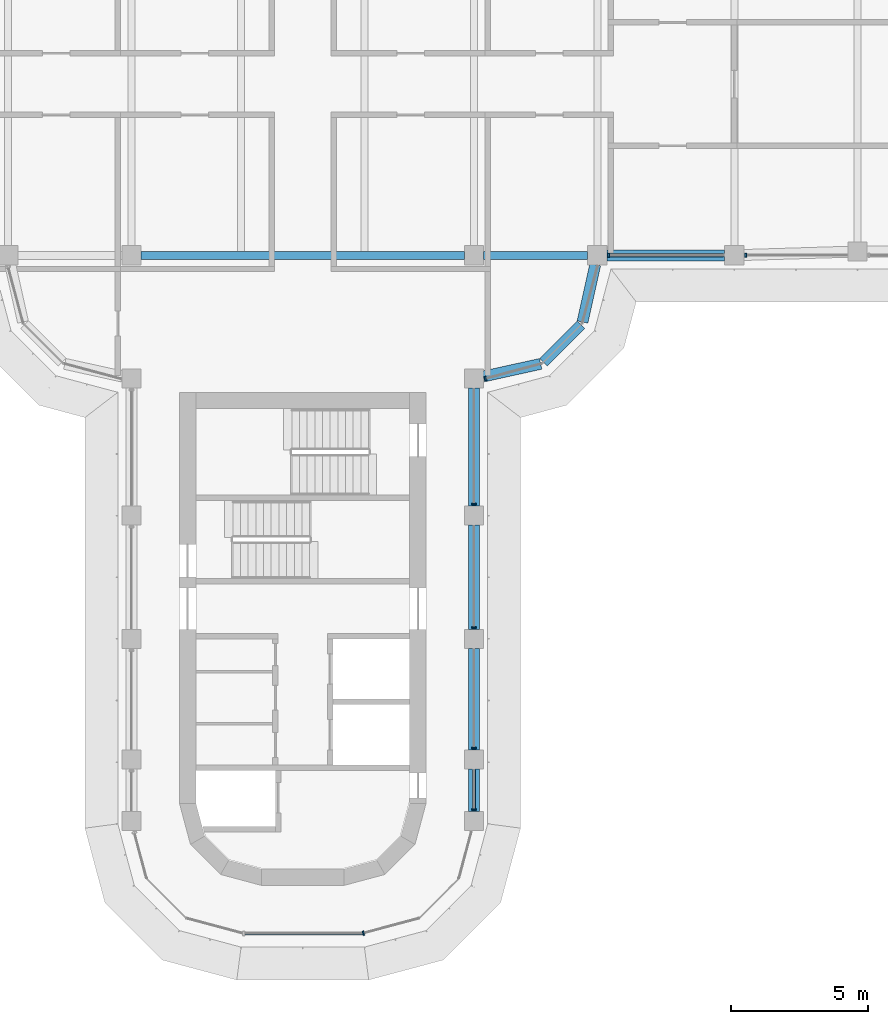
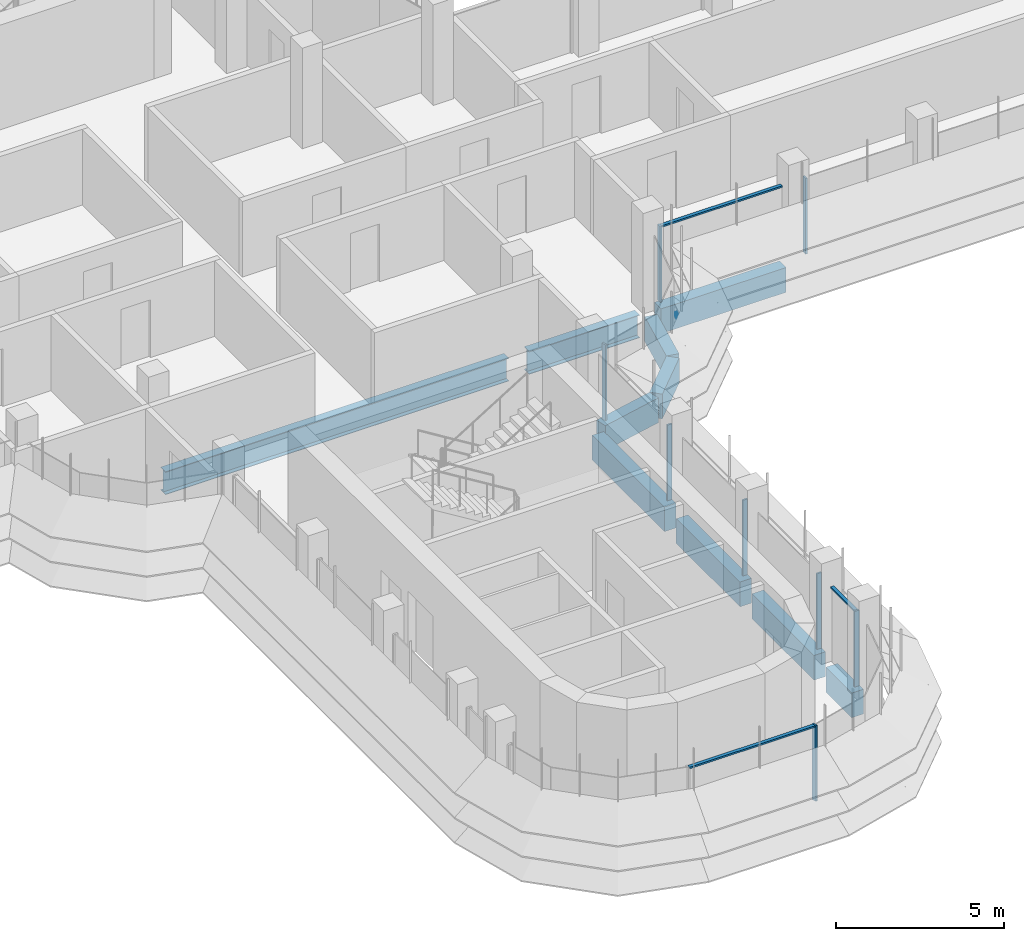
# One storey, part 4 of 19: 11 members, 10 beams, 5 elements without a shape of their own.
"""IFC4 building model written with IfcOpenShell, lengths in metres."""

from ifc_helpers import new_model, si_unit, direction, frame, origin, origin_2d, place, context, subcontext, project, spatial, polyline, rectangle, i_section, outline, extrude, source, transform, mapped, material, material_profile, profile_set, type_object, element, aggregate, save


model = new_model("IFC4")

# Units and contexts
model_context = context("Model", 3, precision=1e-05, world=origin(), true_north=direction((0.0, 1.0)))
body_context = subcontext(model_context, "Body", "Model", "MODEL_VIEW")
ifc_project = project(units=[si_unit("LENGTHUNIT", "METRE"), si_unit("AREAUNIT", "SQUARE_METRE"), si_unit("VOLUMEUNIT", "CUBIC_METRE"), si_unit("PLANEANGLEUNIT", "RADIAN"), si_unit("MASSUNIT", "GRAM", prefix="KILO")], contexts=[model_context])

# Site, building, storey
site_placement = place(None, origin())
site = spatial("IfcSite", under=ifc_project, at=site_placement, CompositionType="ELEMENT")
building_placement = place(site_placement, origin())
building = spatial("IfcBuilding", under=site, at=building_placement, Name="Zarbagh Exchange Tower", CompositionType="ELEMENT")
storey_placement = place(building_placement, frame((0.0, 0.0, 237.199951171875)))
storey = spatial("IfcBuildingStorey", under=building, at=storey_placement, Name="L58", CompositionType="ELEMENT", Elevation=237.199951171875)

# Beams
ifc_material_1 = material(Name="Steel ASTM A992 Gr 50", Category="steel")
ifc_material_profile_1 = material_profile(ifc_material_1, i_section(OverallWidth=0.2919921875, OverallDepth=0.835693359375, WebThickness=0.013916015625, FlangeThickness=0.018798828125, at=origin_2d()), Name="W33X118")
ifc_profile_set_1 = profile_set([ifc_material_profile_1], Name="Steel ASTM A992 Gr 50")
beam_type_1 = type_object("IfcBeamType", Name="Floor girder W33X118", PredefinedType="BEAM", material=ifc_profile_set_1)
beam_1_placement = place(storey_placement, frame((-5.89990234375, -6.25, -0.56787109375), z_axis=(1.0, 0.0, 0.0), x_axis=(0.0, 1.0, 0.0)))
element("IfcBeam", 1, at=beam_1_placement, inside=storey, type_object=beam_type_1, Name="Steel girder", PredefinedType="BEAM", context=body_context, shape_type="SweptSolid", body=[
    extrude(i_section(OverallWidth=0.2919921875, OverallDepth=0.835693359375, WebThickness=0.013916015625, FlangeThickness=0.018798828125, at=origin_2d()), origin(), (0.0, 0.0, 1.0), 11.7998046875),
])
beam_2_placement = place(storey_placement, frame((6.60009765625, -6.25, -0.56787109375), z_axis=(1.0, 0.0, 0.0), x_axis=(0.0, 1.0, 0.0)))
element("IfcBeam", 2, at=beam_2_placement, inside=storey, type_object=beam_type_1, Name="Steel girder", PredefinedType="BEAM", context=body_context, shape_type="SweptSolid", body=[
    extrude(i_section(OverallWidth=0.2919921875, OverallDepth=0.835693359375, WebThickness=0.013916015625, FlangeThickness=0.018798828125, at=origin_2d()), origin(), (0.0, 0.0, 1.0), 3.7998046875),
])
ifc_material_2 = material(Name="Concrete C50/60", Category="concrete")
ifc_material_profile_2 = material_profile(ifc_material_2, rectangle(XDim=0.39990234375, YDim=0.89990234375, at=origin_2d()), Name="RC spandrel beam 400 x 900 C50/60")
ifc_profile_set_2 = profile_set([ifc_material_profile_2], Name="Concrete C50/60")
beam_type_2 = type_object("IfcBeamType", Name="RC spandrel beam 400 x 900 C50/60", PredefinedType="SPANDREL", material=ifc_profile_set_2)
beam_3_placement = place(storey_placement, frame((15.39990234375, -6.25, -0.599853515625), z_axis=(-1.0, 0.0, 0.0), x_axis=(0.0, -1.0, 0.0)))
element("IfcBeam", 3, at=beam_3_placement, inside=storey, type_object=beam_type_2, Name="RC spandrel beam", PredefinedType="SPANDREL", context=body_context, shape_type="SweptSolid", body=[
    extrude(rectangle(XDim=0.39990234375, YDim=0.89990234375, at=origin_2d()), origin(), (0.0, 0.0, 1.0), 4.2998046875),
])
beam_4_placement = place(storey_placement, frame((10.67431640625, -6.591796875, -0.599853515625), z_axis=(-0.216013551096, -0.97639036545, 0.0), x_axis=(0.97639036545, -0.216013551096, 0.0)))
element("IfcBeam", 4, at=beam_4_placement, inside=storey, type_object=beam_type_2, Name="RC spandrel beam", PredefinedType="SPANDREL", context=body_context, shape_type="SweptSolid", body=[
    extrude(rectangle(XDim=0.39990234375, YDim=0.89990234375, at=origin_2d()), origin(), (0.0, 0.0, 1.0), 2.142822265625),
])
beam_5_placement = place(storey_placement, frame((10.15771484375, -8.782470703125, -0.599853515625), z_axis=(-0.707106781187, -0.707106781187, 0.0), x_axis=(0.707106781187, -0.707106781187, 0.0)))
element("IfcBeam", 5, at=beam_5_placement, inside=storey, type_object=beam_type_2, Name="RC spandrel beam", PredefinedType="SPANDREL", context=body_context, shape_type="SweptSolid", body=[
    extrude(rectangle(XDim=0.39990234375, YDim=0.89990234375, at=origin_2d()), origin(), (0.0, 0.0, 1.0), 1.94482421875),
])
beam_6_placement = place(storey_placement, frame((8.68408203125, -10.21142578125, -0.599853515625), z_axis=(-0.97639036545, -0.216013551096, 0.0), x_axis=(0.216013551096, -0.97639036545, 0.0)))
element("IfcBeam", 6, at=beam_6_placement, inside=storey, type_object=beam_type_2, Name="RC spandrel beam", PredefinedType="SPANDREL", context=body_context, shape_type="SweptSolid", body=[
    extrude(rectangle(XDim=0.39990234375, YDim=0.89990234375, at=origin_2d()), origin(), (0.0, 0.0, 1.0), 2.142822265625),
])
beam_7_placement = place(storey_placement, frame((6.25, -11.10009765625, -0.599853515625), z_axis=(0.0, -1.0, 0.0), x_axis=(1.0, 0.0, 0.0)))
element("IfcBeam", 7, at=beam_7_placement, inside=storey, type_object=beam_type_2, Name="RC spandrel beam", PredefinedType="SPANDREL", context=body_context, shape_type="SweptSolid", body=[
    extrude(rectangle(XDim=0.39990234375, YDim=0.89990234375, at=origin_2d()), origin(), (0.0, 0.0, 1.0), 4.2998046875),
])
beam_8_placement = place(storey_placement, frame((6.25, -16.10009765625, -0.599853515625), z_axis=(0.0, -1.0, 0.0), x_axis=(1.0, 0.0, 0.0)))
element("IfcBeam", 8, at=beam_8_placement, inside=storey, type_object=beam_type_2, Name="RC spandrel beam", PredefinedType="SPANDREL", context=body_context, shape_type="SweptSolid", body=[
    extrude(rectangle(XDim=0.39990234375, YDim=0.89990234375, at=origin_2d()), origin(), (0.0, 0.0, 1.0), 3.7998046875),
])
beam_9_placement = place(storey_placement, frame((6.25, -20.60009765625, -0.599853515625), z_axis=(0.0, -1.0, 0.0), x_axis=(1.0, 0.0, 0.0)))
element("IfcBeam", 9, at=beam_9_placement, inside=storey, type_object=beam_type_2, Name="RC spandrel beam", PredefinedType="SPANDREL", context=body_context, shape_type="SweptSolid", body=[
    extrude(rectangle(XDim=0.39990234375, YDim=0.89990234375, at=origin_2d()), origin(), (0.0, 0.0, 1.0), 3.699951171875),
])
beam_10_placement = place(storey_placement, frame((6.25, -25.0, -0.599853515625), z_axis=(0.0, -1.0, 0.0), x_axis=(1.0, 0.0, 0.0)))
element("IfcBeam", 10, at=beam_10_placement, inside=storey, type_object=beam_type_2, Name="RC spandrel beam", PredefinedType="SPANDREL", context=body_context, shape_type="SweptSolid", body=[
    extrude(rectangle(XDim=0.39990234375, YDim=0.89990234375, at=origin_2d()), origin(), (0.0, 0.0, 1.0), 1.550048828125),
])

# Curtain wall, member
ifc_material_3 = material(Name="Anodised aluminium frame and glazing", Category="aluminium")
curtain_wall_type = type_object("IfcCurtainWallType", Name="CWB Ribbon glazing, upper zones", PredefinedType="NOTDEFINED", material=ifc_material_3)
curtain_wall_1_placement = place(storey_placement, origin())
curtain_wall_1 = element("IfcCurtainWall", 11, at=curtain_wall_1_placement, inside=storey, type_object=curtain_wall_type, Name="CWB49 curtain wall", PredefinedType="NOTDEFINED")
ifc_material_4 = material(Name="Anodised aluminium frame", Category="aluminium")
member_type_1 = type_object("IfcMemberType", Name="MUB Mullion, anodised aluminium frame", PredefinedType="MULLION", material=ifc_material_4)
shared_shape_1 = source(origin(), body_context, "Body", "SweptSolid", [
    extrude(outline(polyline([(0.0, -0.080078125), (0.06005859375, -0.080078125), (0.06005859375, 0.080078125), (0.0, 0.080078125), (0.0, -0.080078125)])), origin(), (0.0, 0.0, 1.0), 2.75),
])
placement = place(storey_placement, origin())
member_1 = element("IfcMember", 12, at=placement, type_object=member_type_1, Name="CWB49 mullion 1.1", PredefinedType="MULLION", context=body_context, shape_type="MappedRepresentation", body=[
    mapped(shared_shape_1, transform((2.18408203125, -31.0, 0.0), x_axis=(0.965924289636, 0.258824779902, 0.0), y_axis=(-0.258824779902, 0.965924289636, 0.0), z_axis=(0.0, 0.0, 1.0))),
])
aggregate(curtain_wall_1, [member_1])

# Curtain wall, members
curtain_wall_2_placement = place(storey_placement, origin())
curtain_wall_2 = element("IfcCurtainWall", 13, at=curtain_wall_2_placement, inside=storey, type_object=curtain_wall_type, Name="CWB52 curtain wall", PredefinedType="NOTDEFINED")
member_2 = element("IfcMember", 14, at=placement, type_object=member_type_1, Name="CWB52 mullion 1.1", PredefinedType="MULLION", context=body_context, shape_type="MappedRepresentation", body=[
    mapped(shared_shape_1, transform((6.25, -26.510009765625, 0.0), x_axis=(0.0, 1.0, 0.0), y_axis=(-1.0, 0.0, 0.0), z_axis=(0.0, 0.0, 1.0))),
])
member_3 = element("IfcMember", 15, at=placement, type_object=member_type_1, Name="CWB52 mullion 2.1", PredefinedType="MULLION", context=body_context, shape_type="MappedRepresentation", body=[
    mapped(shared_shape_1, transform((6.25, -24.260009765625, 0.0), x_axis=(0.0, 1.0, 0.0), y_axis=(-1.0, 0.0, 0.0), z_axis=(0.0, 0.0, 1.0))),
])
member_4 = element("IfcMember", 16, at=placement, type_object=member_type_1, Name="CWB52 mullion 3.1", PredefinedType="MULLION", context=body_context, shape_type="MappedRepresentation", body=[
    mapped(shared_shape_1, transform((6.25, -19.85986328125, 0.0), x_axis=(0.0, 1.0, 0.0), y_axis=(-1.0, 0.0, 0.0), z_axis=(0.0, 0.0, 1.0))),
])
member_5 = element("IfcMember", 17, at=placement, type_object=member_type_1, Name="CWB52 mullion 4.1", PredefinedType="MULLION", context=body_context, shape_type="MappedRepresentation", body=[
    mapped(shared_shape_1, transform((6.25, -15.35986328125, 0.0), x_axis=(0.0, 1.0, 0.0), y_axis=(-1.0, 0.0, 0.0), z_axis=(0.0, 0.0, 1.0))),
])

# Curtain wall, member
curtain_wall_3_placement = place(storey_placement, origin())
curtain_wall_3 = element("IfcCurtainWall", 18, at=curtain_wall_3_placement, inside=storey, type_object=curtain_wall_type, Name="CWB05 curtain wall", PredefinedType="NOTDEFINED")
member_6 = element("IfcMember", 19, at=placement, type_object=member_type_1, Name="CWB05 mullion 1.1", PredefinedType="MULLION", context=body_context, shape_type="MappedRepresentation", body=[
    mapped(shared_shape_1, transform((6.64013671875, -10.76171875, 0.0), x_axis=(0.965924289636, 0.258824779902, 0.0), y_axis=(-0.258824779902, 0.965924289636, 0.0), z_axis=(0.0, 0.0, 1.0))),
])
aggregate(curtain_wall_3, [member_6])

# Curtain wall, members
curtain_wall_4_placement = place(storey_placement, origin())
curtain_wall_4 = element("IfcCurtainWall", 20, at=curtain_wall_4_placement, inside=storey, type_object=curtain_wall_type, Name="CWB08 curtain wall", PredefinedType="NOTDEFINED")
member_7 = element("IfcMember", 21, at=placement, type_object=member_type_1, Name="CWB08 mullion 1.1", PredefinedType="MULLION", context=body_context, shape_type="MappedRepresentation", body=[
    mapped(shared_shape_1, transform((11.14013671875, -6.25, 0.0), x_axis=(1.0, 0.0, 0.0), y_axis=(0.0, 1.0, 0.0), z_axis=(0.0, 0.0, 1.0))),
])
member_8 = element("IfcMember", 22, at=placement, type_object=member_type_1, Name="CWB08 mullion 2.1", PredefinedType="MULLION", context=body_context, shape_type="MappedRepresentation", body=[
    mapped(shared_shape_1, transform((16.14013671875, -6.25, 0.0), x_axis=(1.0, 0.0, 0.0), y_axis=(0.0, 1.0, 0.0), z_axis=(0.0, 0.0, 1.0))),
])

# Curtain wall, member
curtain_wall_5_placement = place(storey_placement, origin())
curtain_wall_5 = element("IfcCurtainWall", 23, at=curtain_wall_5_placement, inside=storey, type_object=curtain_wall_type, Name="CWB57 curtain wall", PredefinedType="NOTDEFINED")
member_type_2 = type_object("IfcMemberType", Name="TRB Transom, anodised aluminium frame", PredefinedType="USERDEFINED", material=ifc_material_4)
shared_shape_2 = source(origin(), body_context, "Body", "SweptSolid", [
    extrude(outline(polyline([(-0.06005859375, -0.06005859375), (0.0, -0.06005859375), (0.0, 0.06005859375), (-0.06005859375, 0.06005859375), (-0.06005859375, -0.06005859375)])), origin(), (0.0, 0.0, 1.0), 4.308349609375),
])
member_9 = element("IfcMember", 24, at=placement, type_object=member_type_2, Name="CWB57 transom 1.1", ObjectType="TRANSOM", PredefinedType="USERDEFINED", context=body_context, shape_type="MappedRepresentation", body=[
    mapped(shared_shape_2, transform((-2.124267578125, -31.0, 2.75), x_axis=(0.0, 0.0, 1.0), y_axis=(0.0, -1.0, 0.0), z_axis=(1.0, 0.0, 0.0))),
])
aggregate(curtain_wall_5, [member_9])

# Member
shared_shape_3 = source(origin(), body_context, "Body", "SweptSolid", [
    extrude(outline(polyline([(-0.06005859375, -0.06005859375), (0.0, -0.06005859375), (0.0, 0.06005859375), (-0.06005859375, 0.06005859375), (-0.06005859375, -0.06005859375)])), origin(), (0.0, 0.0, 1.0), 1.409912109375),
])
member_10 = element("IfcMember", 25, at=placement, type_object=member_type_2, Name="CWB52 transom 1.1", ObjectType="TRANSOM", PredefinedType="USERDEFINED", context=body_context, shape_type="MappedRepresentation", body=[
    mapped(shared_shape_3, transform((6.25, -26.449951171875, 2.75), x_axis=(0.0, 0.0, 1.0), y_axis=(1.0, 0.0, 0.0), z_axis=(0.0, 1.0, 0.0))),
])

aggregate(curtain_wall_2, [member_2, member_10, member_3, member_4, member_5])

shared_shape_4 = source(origin(), body_context, "Body", "SweptSolid", [
    extrude(outline(polyline([(-0.06005859375, -0.06005859375), (0.0, -0.06005859375), (0.0, 0.06005859375), (-0.06005859375, 0.06005859375), (-0.06005859375, -0.06005859375)])), origin(), (0.0, 0.0, 1.0), 4.159912109375),
])
member_11 = element("IfcMember", 26, at=placement, type_object=member_type_2, Name="CWB08 transom 1.1", ObjectType="TRANSOM", PredefinedType="USERDEFINED", context=body_context, shape_type="MappedRepresentation", body=[
    mapped(shared_shape_4, transform((11.199951171875, -6.25, 2.75), x_axis=(0.0, 0.0, 1.0), y_axis=(0.0, -1.0, 0.0), z_axis=(1.0, 0.0, 0.0))),
])

aggregate(curtain_wall_4, [member_7, member_11, member_8])

save(model, "model.ifc")
